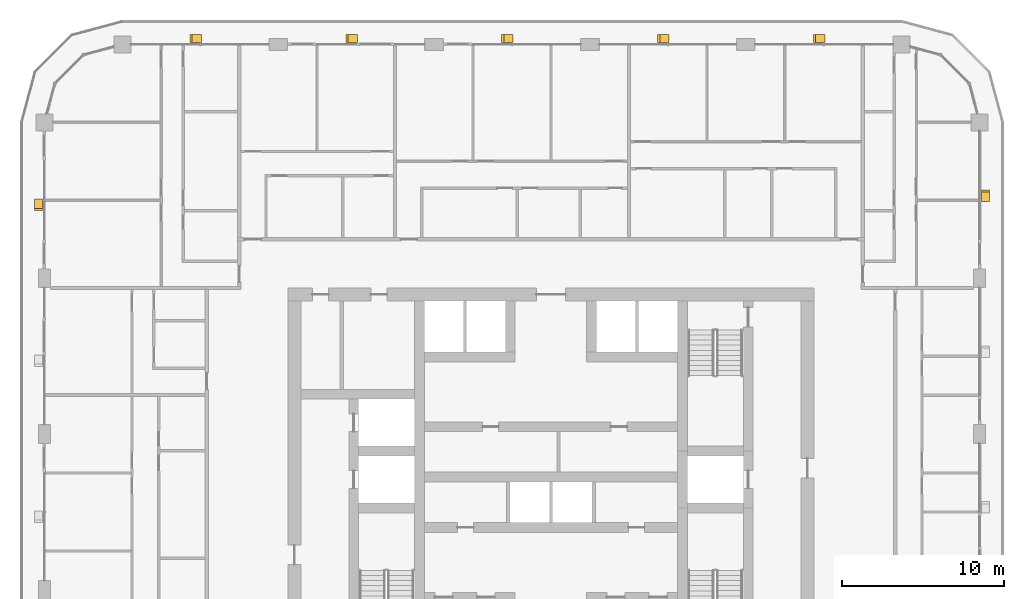
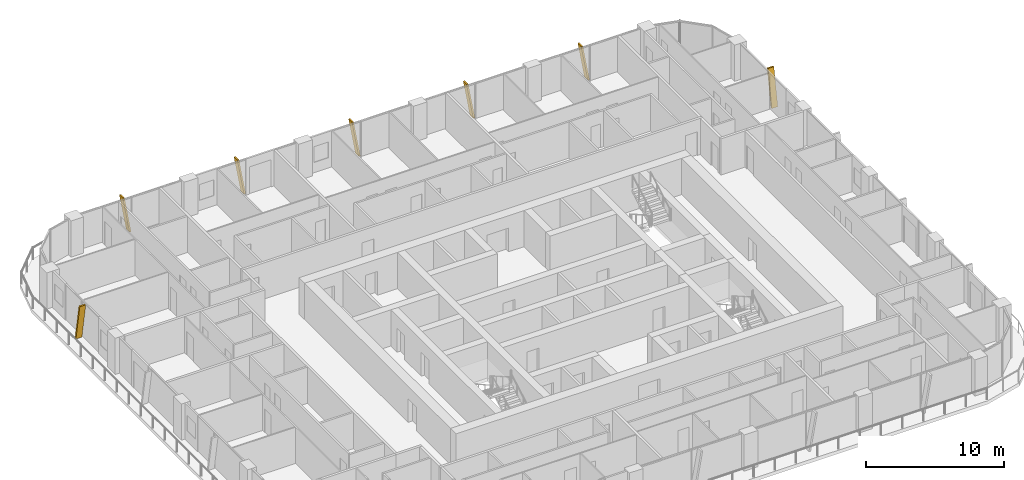
# One storey, part 22 of 22: 7 shading devices.
"""IFC4 building model written with IfcOpenShell, lengths in metres."""

from ifc_helpers import new_model, si_unit, direction, frame, origin, place, context, subcontext, project, spatial, polyline, outline, extrude, material, type_object, element, save


model = new_model("IFC4")

# Units and contexts
model_context = context("Model", 3, precision=1e-05, world=origin(), true_north=direction((0.0, 1.0)))
body_context = subcontext(model_context, "Body", "Model", "MODEL_VIEW")
ifc_project = project(units=[si_unit("LENGTHUNIT", "METRE"), si_unit("AREAUNIT", "SQUARE_METRE"), si_unit("VOLUMEUNIT", "CUBIC_METRE"), si_unit("PLANEANGLEUNIT", "RADIAN"), si_unit("MASSUNIT", "GRAM", prefix="KILO")], contexts=[model_context])

# Site, building, storey
site_placement = place(None, origin())
site = spatial("IfcSite", under=ifc_project, at=site_placement, CompositionType="ELEMENT")
building_placement = place(site_placement, origin())
building = spatial("IfcBuilding", under=site, at=building_placement, Name="Madar Terraces", CompositionType="ELEMENT")
storey_placement = place(building_placement, frame((0.0, 0.0, 129.60009765625)))
storey = spatial("IfcBuildingStorey", under=building, at=storey_placement, Name="L33", CompositionType="ELEMENT", Elevation=129.60009765625)

# Shading devices
ifc_material = material(Name="Aluminium, black anodised", Category="aluminium")
shading_device_type = type_object("IfcShadingDeviceType", Name="Facade fin blade 140 x 500", PredefinedType="USERDEFINED", material=ifc_material)
for number, where, z_axis, x_axis, name in (
    (1, (57.949951171875, 43.1298828125, 0.0), (0.0, 0.0, 1.0), (0.0, 1.0, 0.0), "FIN L33 E4"),
    (2, (48.070068359375, 53.14990234375, 0.0), (0.0, 0.0, 1.0), (-1.0, 0.0, 0.0), "FIN L33 N1"),
):
    element("IfcShadingDevice", number, at=place(storey_placement, frame(where, z_axis=z_axis, x_axis=x_axis)), inside=storey, type_object=shading_device_type, Name=name, ObjectType="FIN", PredefinedType="USERDEFINED", context=body_context, shape_type="SweptSolid", body=[
        extrude(outline(polyline([(0.0, 0.0), (0.14013671875, 0.0), (0.704345703125, 3.199951171875), (0.564208984375, 3.199951171875), (0.0, 0.0)])), frame((0.0, 0.25, 0.0), z_axis=(0.0, -1.0, 0.0), x_axis=(1.0, 0.0, 0.0)), (0.0, 0.0, 1.0), 0.5),
    ])
shading_device_1_placement = place(storey_placement, frame((38.469970703125, 53.14990234375, 0.0), z_axis=(0.0, 0.0, 1.0), x_axis=(-1.0, 0.0, 0.0)))
element("IfcShadingDevice", 3, at=shading_device_1_placement, inside=storey, type_object=shading_device_type, Name="FIN L33 N2", ObjectType="FIN", PredefinedType="USERDEFINED", context=body_context, shape_type="SweptSolid", body=[
    extrude(outline(polyline([(0.0, 0.0), (0.139892578125, 0.0), (0.704345703125, 3.199951171875), (0.564208984375, 3.199951171875), (0.0, 0.0)])), frame((0.0, 0.25, 0.0), z_axis=(0.0, -1.0, 0.0), x_axis=(1.0, 0.0, 0.0)), (0.0, 0.0, 1.0), 0.5),
])
for number, where, z_axis, x_axis, name in (
    (4, (28.8701171875, 53.14990234375, 0.0), (0.0, 0.0, 1.0), (-1.0, 0.0, 0.0), "FIN L33 N3"),
    (5, (19.27001953125, 53.14990234375, 0.0), (0.0, 0.0, 1.0), (-1.0, 0.0, 0.0), "FIN L33 N4"),
):
    element("IfcShadingDevice", number, at=place(storey_placement, frame(where, z_axis=z_axis, x_axis=x_axis)), inside=storey, type_object=shading_device_type, Name=name, ObjectType="FIN", PredefinedType="USERDEFINED", context=body_context, shape_type="SweptSolid", body=[
        extrude(outline(polyline([(0.0, 0.0), (0.14013671875, 0.0), (0.704345703125, 3.199951171875), (0.564208984375, 3.199951171875), (0.0, 0.0)])), frame((0.0, 0.25, 0.0), z_axis=(0.0, -1.0, 0.0), x_axis=(1.0, 0.0, 0.0)), (0.0, 0.0, 1.0), 0.5),
    ])
shading_device_2_placement = place(storey_placement, frame((9.669921875, 53.14990234375, 0.0), z_axis=(0.0, 0.0, 1.0), x_axis=(-1.0, 0.0, 0.0)))
element("IfcShadingDevice", 6, at=shading_device_2_placement, inside=storey, type_object=shading_device_type, Name="FIN L33 N5", ObjectType="FIN", PredefinedType="USERDEFINED", context=body_context, shape_type="SweptSolid", body=[
    extrude(outline(polyline([(0.0, 0.0), (0.139892578125, 0.0), (0.704345703125, 3.199951171875), (0.564208984375, 3.199951171875), (0.0, 0.0)])), frame((0.0, 0.25, 0.0), z_axis=(0.0, -1.0, 0.0), x_axis=(1.0, 0.0, 0.0)), (0.0, 0.0, 1.0), 0.5),
])
shading_device_3_placement = place(storey_placement, frame((-0.35009765625, 43.27001953125, 0.0), z_axis=(0.0, 0.0, 1.0), x_axis=(0.0, -1.0, 0.0)))
element("IfcShadingDevice", 7, at=shading_device_3_placement, inside=storey, type_object=shading_device_type, Name="FIN L33 W1", ObjectType="FIN", PredefinedType="USERDEFINED", context=body_context, shape_type="SweptSolid", body=[
    extrude(outline(polyline([(0.0, 0.0), (0.14013671875, 0.0), (0.704345703125, 3.199951171875), (0.564208984375, 3.199951171875), (0.0, 0.0)])), frame((0.0, 0.25, 0.0), z_axis=(0.0, -1.0, 0.0), x_axis=(1.0, 0.0, 0.0)), (0.0, 0.0, 1.0), 0.5),
])

save(model, "model.ifc")
